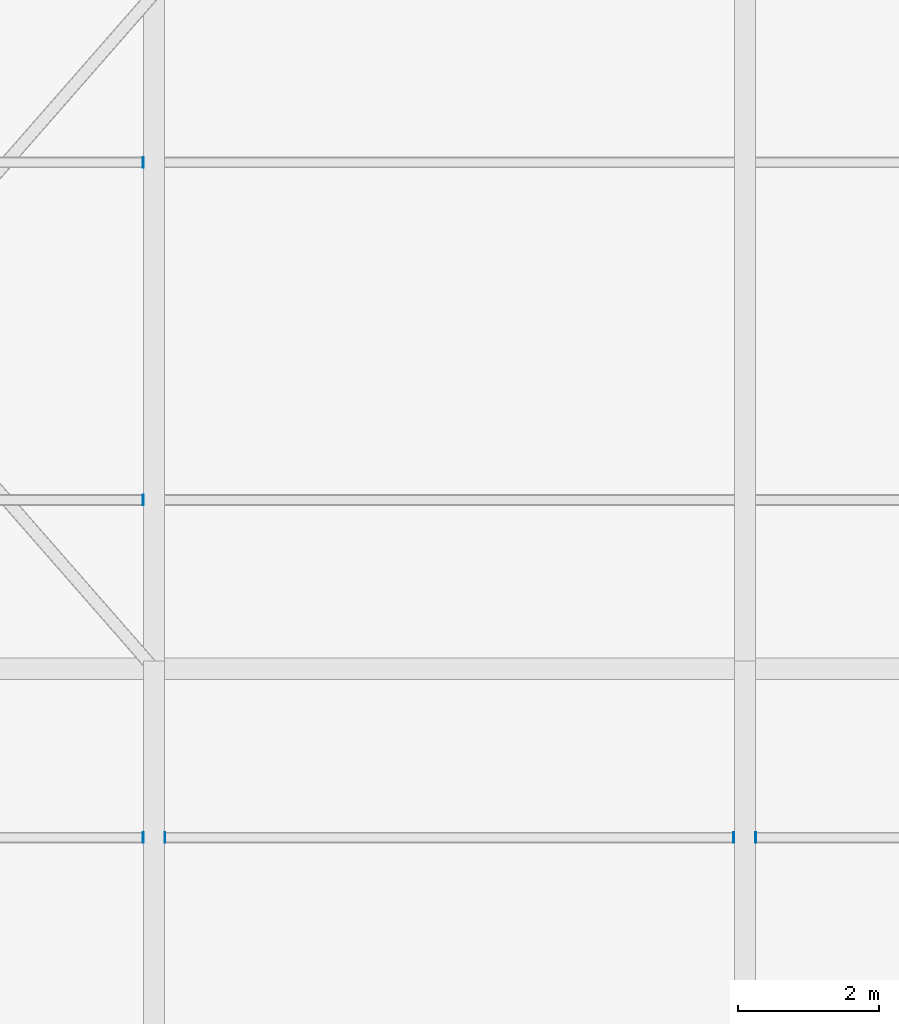
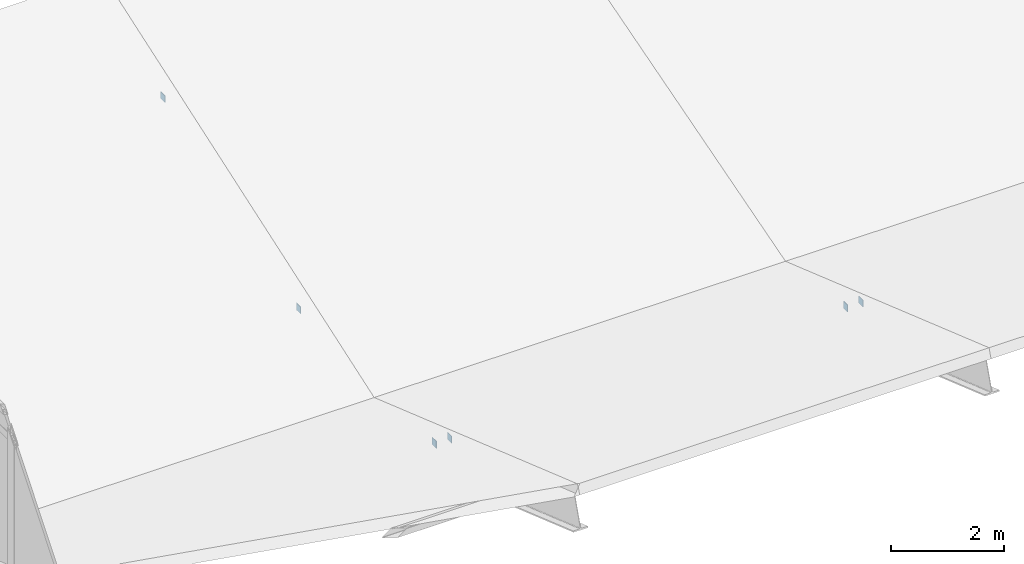
# One storey, part 103 of 110: 6 discrete accessories.
"""IFC4 building model written with IfcOpenShell, lengths in metres."""

from ifc_helpers import new_model, si_unit, direction, frame, origin, origin_2d, place, context, subcontext, project, spatial, rectangle, extrude, material, type_object, element, save


model = new_model("IFC4")

# Units and contexts
model_context = context("Model", 3, precision=1e-05, world=origin(), true_north=direction((0.0, 1.0)))
body_context = subcontext(model_context, "Body", "Model", "MODEL_VIEW")
ifc_project = project(units=[si_unit("LENGTHUNIT", "METRE"), si_unit("AREAUNIT", "SQUARE_METRE"), si_unit("VOLUMEUNIT", "CUBIC_METRE"), si_unit("PLANEANGLEUNIT", "RADIAN"), si_unit("MASSUNIT", "GRAM", prefix="KILO")], contexts=[model_context])

# Site, building, storey
site_placement = place(None, origin())
site = spatial("IfcSite", under=ifc_project, at=site_placement, CompositionType="ELEMENT")
building_placement = place(site_placement, origin())
building = spatial("IfcBuilding", under=site, at=building_placement, Name="Qawsi Khor Wholesale Market", CompositionType="ELEMENT")
storey_placement = place(building_placement, frame((0.0, 0.0, 11.39990234375)))
storey = spatial("IfcBuildingStorey", under=building, at=storey_placement, Name="L02", CompositionType="ELEMENT", Elevation=11.39990234375)

# Discrete accessories
ifc_material = material(Name="Steel S355", Category="steel")
discrete_accessory_type = type_object("IfcDiscreteAccessoryType", Name="Purlin End Cleat Plate 12 S355", PredefinedType="BRACKET", material=ifc_material)
for number, where, z_axis, x_axis, name in (
    (1, (83.843994140625, 97.199951171875, 1.408447265625), (0.0, 0.0, 1.0), (1.0, 0.0, 0.0), "Auction roof purlin 10-2 end cleat E"),
    (2, (83.843994140625, 102.0, 1.400146484375), (0.0, 0.0, 1.0), (1.0, 0.0, 0.0), "Auction roof purlin 10-3 end cleat E"),
    (3, (83.843994140625, 106.800048828125, 3.050048828125), (0.0, 0.0, 1.0), (1.0, 0.0, 0.0), "Auction roof purlin 10-4 end cleat E"),
    (4, (84.156005859375, 97.199951171875, 1.408447265625), (0.0, 0.0, 1.0), (1.0, 0.0, 0.0), "Auction roof purlin 11-2 end cleat W"),
    (5, (92.243896484375, 97.199951171875, 1.408447265625), (0.0, 0.0, 1.0), (1.0, 0.0, 0.0), "Auction roof purlin 11-2 end cleat E"),
    (6, (92.555908203125, 97.199951171875, 1.408447265625), (0.0, 0.0, 1.0), (1.0, 0.0, 0.0), "Auction roof purlin 12-2 end cleat W"),
):
    element("IfcDiscreteAccessory", number, at=place(storey_placement, frame(where, z_axis=z_axis, x_axis=x_axis)), inside=storey, type_object=discrete_accessory_type, Name=name, PredefinedType="BRACKET", context=body_context, shape_type="SweptSolid", body=[
        extrude(rectangle(XDim=0.011962890625, YDim=0.14990234375, at=origin_2d()), origin(), (0.0, 0.0, 1.0), 0.14990234375),
    ])

save(model, "model.ifc")
